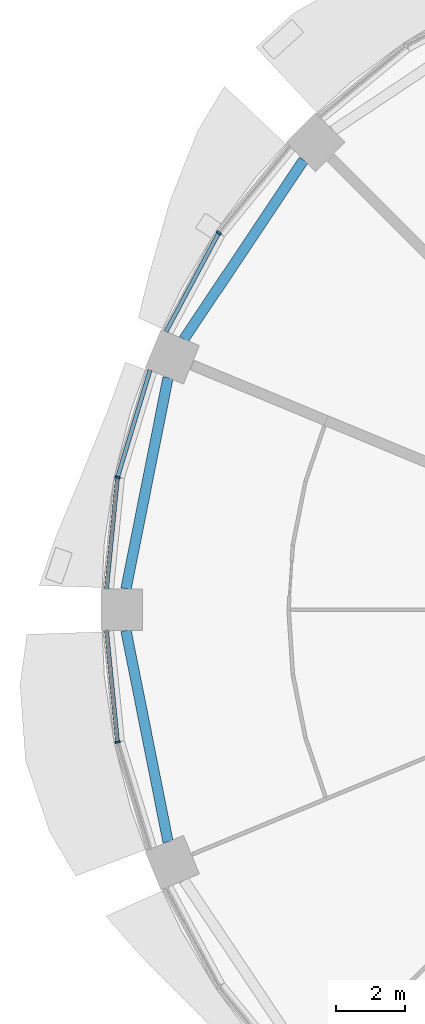
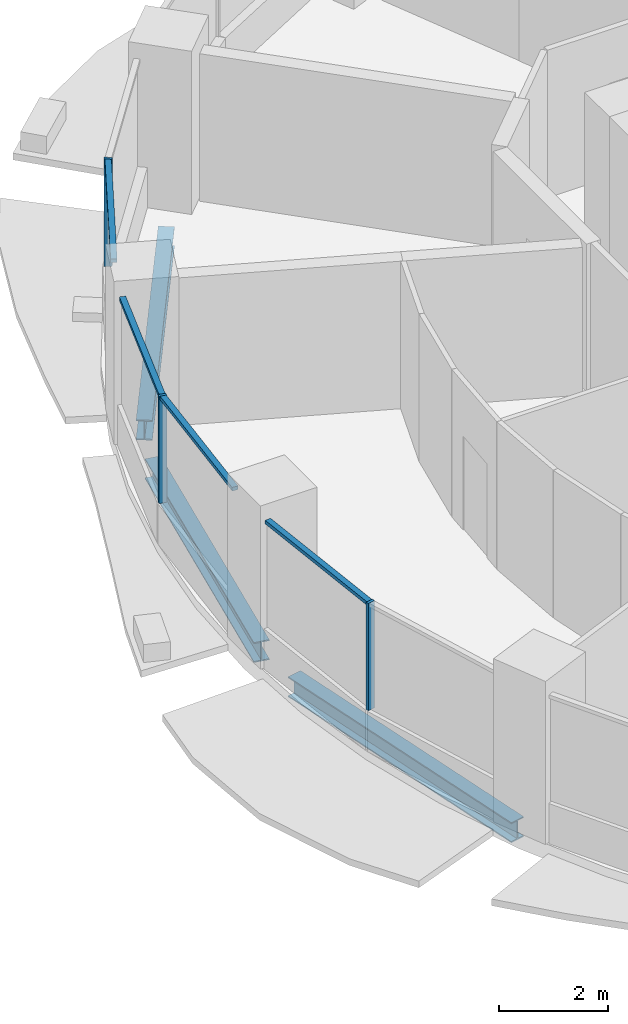
# One storey, part 4 of 15: 7 members, 3 beams, 3 elements without a shape of their own.
"""IFC4 building model written with IfcOpenShell, lengths in metres."""

from ifc_helpers import new_model, si_unit, direction, frame, origin, origin_2d, place, context, subcontext, project, spatial, rectangle, i_section, extrude, material, material_profile, profile_set, type_object, element, aggregate, save


model = new_model("IFC4")

# Units and contexts
model_context = context("Model", 3, precision=1e-05, world=origin(), true_north=direction((0.0, 1.0)))
body_context = subcontext(model_context, "Body", "Model", "MODEL_VIEW")
ifc_project = project(units=[si_unit("LENGTHUNIT", "METRE"), si_unit("AREAUNIT", "SQUARE_METRE"), si_unit("VOLUMEUNIT", "CUBIC_METRE"), si_unit("PLANEANGLEUNIT", "RADIAN"), si_unit("MASSUNIT", "GRAM", prefix="KILO")], contexts=[model_context])

# Site, building, storey
site_placement = place(None, origin())
site = spatial("IfcSite", under=ifc_project, at=site_placement, CompositionType="ELEMENT")
building_placement = place(site_placement, origin())
building = spatial("IfcBuilding", under=site, at=building_placement, Name="Polderwave Tower", CompositionType="ELEMENT")
storey_placement = place(building_placement, frame((0.0, 0.0, 51.75)))
storey = spatial("IfcBuildingStorey", under=building, at=storey_placement, Name="L13", CompositionType="ELEMENT", Elevation=51.75)

# Curtain wall, member
ifc_material_1 = material(Name="Aluminium 6063-T6 and glass", Category="aluminium")
curtain_wall_type = type_object("IfcCurtainWallType", Name="Growing floor ribbon glazing wall", PredefinedType="NOTDEFINED", material=ifc_material_1)
curtain_wall_1_placement = place(storey_placement, origin())
curtain_wall_1 = element("IfcCurtainWall", 1, at=curtain_wall_1_placement, inside=storey, type_object=curtain_wall_type, Name="CW2 L13 06", PredefinedType="NOTDEFINED")
ifc_material_2 = material(Name="Aluminium 6063-T6", Category="aluminium")
ifc_material_profile_1 = material_profile(ifc_material_2, rectangle(XDim=0.14990234375, YDim=0.06005859375, at=origin_2d()), Name="AL 60x150")
ifc_profile_set_1 = profile_set([ifc_material_profile_1], Name="Aluminium 6063-T6")
member_type_1 = type_object("IfcMemberType", Name="Growing floor ribbon glazing mullion 60x150", PredefinedType="MULLION", material=ifc_profile_set_1)
member_1_placement = place(storey_placement, frame((-16.239013671875, 10.85009765625, 0.89990234375), z_axis=(0.0, 0.0, 1.0), x_axis=(0.83146573367, -0.555576037759, 0.0)))
member_1 = element("IfcMember", 2, at=member_1_placement, type_object=member_type_1, Name="CW2 mullion 1", PredefinedType="MULLION", context=body_context, shape_type="SweptSolid", body=[
    extrude(rectangle(XDim=0.14990234375, YDim=0.06005859375, at=origin_2d()), origin(), (0.0, 0.0, 1.0), 2.400146484375),
])

curtain_wall_2_placement = place(storey_placement, origin())
curtain_wall_2 = element("IfcCurtainWall", 3, at=curtain_wall_2_placement, inside=storey, type_object=curtain_wall_type, Name="CW2 L13 07", PredefinedType="NOTDEFINED")
member_2_placement = place(storey_placement, frame((-19.155029296875, 3.81005859375, 0.89990234375), z_axis=(0.0, 0.0, 1.0), x_axis=(0.980773701784, -0.195148522643, 0.0)))
member_2 = element("IfcMember", 4, at=member_2_placement, type_object=member_type_1, Name="CW2 mullion 1", PredefinedType="MULLION", context=body_context, shape_type="SweptSolid", body=[
    extrude(rectangle(XDim=0.14990234375, YDim=0.06005859375, at=origin_2d()), origin(), (0.0, 0.0, 1.0), 2.400146484375),
])

curtain_wall_3_placement = place(storey_placement, origin())
curtain_wall_3 = element("IfcCurtainWall", 5, at=curtain_wall_3_placement, inside=storey, type_object=curtain_wall_type, Name="CW2 L13 08", PredefinedType="NOTDEFINED")
member_3_placement = place(storey_placement, frame((-19.155029296875, -3.81005859375, 0.89990234375), z_axis=(0.0, 0.0, 1.0), x_axis=(0.980773701784, 0.195148522643, 0.0)))
member_3 = element("IfcMember", 6, at=member_3_placement, type_object=member_type_1, Name="CW2 mullion 1", PredefinedType="MULLION", context=body_context, shape_type="SweptSolid", body=[
    extrude(rectangle(XDim=0.14990234375, YDim=0.06005859375, at=origin_2d()), origin(), (0.0, 0.0, 1.0), 2.400146484375),
])

# Member
ifc_material_profile_2 = material_profile(ifc_material_2, rectangle(XDim=0.1201171875, YDim=0.080078125, at=origin_2d()), Name="AL 80x120")
ifc_profile_set_2 = profile_set([ifc_material_profile_2], Name="Aluminium 6063-T6")
member_type_2 = type_object("IfcMemberType", Name="Growing floor ribbon glazing transom 80x120", PredefinedType="USERDEFINED", material=ifc_profile_set_2)
member_4_placement = place(storey_placement, frame((-16.253173828125, 10.823486328125, 3.260009765625), z_axis=(-0.471381370673, -0.881929477556, 0.0), x_axis=(0.881929477556, -0.471381370673, 0.0)))
member_4 = element("IfcMember", 7, at=member_4_placement, type_object=member_type_2, Name="CW2 transom 2", ObjectType="TRANSOM", PredefinedType="USERDEFINED", context=body_context, shape_type="SweptSolid", body=[
    extrude(rectangle(XDim=0.1201171875, YDim=0.080078125, at=origin_2d()), origin(), (0.0, 0.0, 1.0), 3.194580078125),
])

aggregate(curtain_wall_1, [member_1, member_4])

member_5_placement = place(storey_placement, frame((-18.218017578125, 6.89697265625, 3.260009765625), z_axis=(-0.290422902272, -0.95689839473, 0.0), x_axis=(0.95689839473, -0.290422902272, 0.0)))
member_5 = element("IfcMember", 8, at=member_5_placement, type_object=member_type_2, Name="CW2 transom 1", ObjectType="TRANSOM", PredefinedType="USERDEFINED", context=body_context, shape_type="SweptSolid", body=[
    extrude(rectangle(XDim=0.1201171875, YDim=0.080078125, at=origin_2d()), origin(), (0.0, 0.0, 1.0), 3.196044921875),
])

member_6_placement = place(storey_placement, frame((-19.157958984375, 3.780029296875, 3.260009765625), z_axis=(-0.097952778777, -0.99519106363, 0.0), x_axis=(0.99519106363, -0.097952778777, 0.0)))
member_6 = element("IfcMember", 9, at=member_6_placement, type_object=member_type_2, Name="CW2 transom 2", ObjectType="TRANSOM", PredefinedType="USERDEFINED", context=body_context, shape_type="SweptSolid", body=[
    extrude(rectangle(XDim=0.1201171875, YDim=0.080078125, at=origin_2d()), origin(), (0.0, 0.0, 1.0), 3.1953125),
])

aggregate(curtain_wall_2, [member_2, member_5, member_6])

member_7_placement = place(storey_placement, frame((-19.470947265625, -0.60009765625, 3.260009765625), z_axis=(0.097952778777, -0.99519106363, 0.0), x_axis=(0.99519106363, 0.097952778777, 0.0)))
member_7 = element("IfcMember", 10, at=member_7_placement, type_object=member_type_2, Name="CW2 transom 1", ObjectType="TRANSOM", PredefinedType="USERDEFINED", context=body_context, shape_type="SweptSolid", body=[
    extrude(rectangle(XDim=0.1201171875, YDim=0.080078125, at=origin_2d()), origin(), (0.0, 0.0, 1.0), 3.1953125),
])

aggregate(curtain_wall_3, [member_3, member_7])

# Beams
ifc_material_3 = material(Name="Steel S355", Category="steel")
ifc_material_profile_3 = material_profile(ifc_material_3, i_section(OverallWidth=0.300048828125, OverallDepth=0.449951171875, WebThickness=0.013916015625, FlangeThickness=0.02587890625, at=origin_2d()), Name="HE 450 B")
ifc_profile_set_3 = profile_set([ifc_material_profile_3], Name="Steel S355")
beam_type = type_object("IfcBeamType", Name="RING BEAM HE 450 B", PredefinedType="BEAM", material=ifc_profile_set_3)
beam_placement = place(storey_placement, frame((-13.796142578125, 12.947509765625, -0.574951171875), z_axis=(-0.555553875554, -0.831480541779, 0.0), x_axis=(0.831480541779, -0.555553875554, 0.0)))
element("IfcBeam", 11, at=beam_placement, inside=storey, type_object=beam_type, Name="ST-RB-L13-06", PredefinedType="BEAM", context=body_context, shape_type="SweptSolid", body=[
    extrude(i_section(OverallWidth=0.300048828125, OverallDepth=0.449951171875, WebThickness=0.013916015625, FlangeThickness=0.02587890625, at=origin_2d()), origin(), (0.0, 0.0, 1.0), 6.20166015625),
])
for number, where, z_axis, x_axis, name in (
    (12, (-17.70068359375, 6.682373046875, -0.574951171875), (-0.195109112701, -0.980781542517, 0.0), (0.980781542517, -0.195109112701, 0.0), "ST-RB-L13-07"),
    (13, (-18.91064453125, -0.60009765625, -0.574951171875), (0.195109112701, -0.980781542517, 0.0), (0.980781542517, 0.195109112701, 0.0), "ST-RB-L13-08"),
):
    element("IfcBeam", number, at=place(storey_placement, frame(where, z_axis=z_axis, x_axis=x_axis)), inside=storey, type_object=beam_type, Name=name, PredefinedType="BEAM", context=body_context, shape_type="SweptSolid", body=[
        extrude(i_section(OverallWidth=0.300048828125, OverallDepth=0.449951171875, WebThickness=0.013916015625, FlangeThickness=0.02587890625, at=origin_2d()), origin(), (0.0, 0.0, 1.0), 6.201416015625),
    ])

save(model, "model.ifc")
